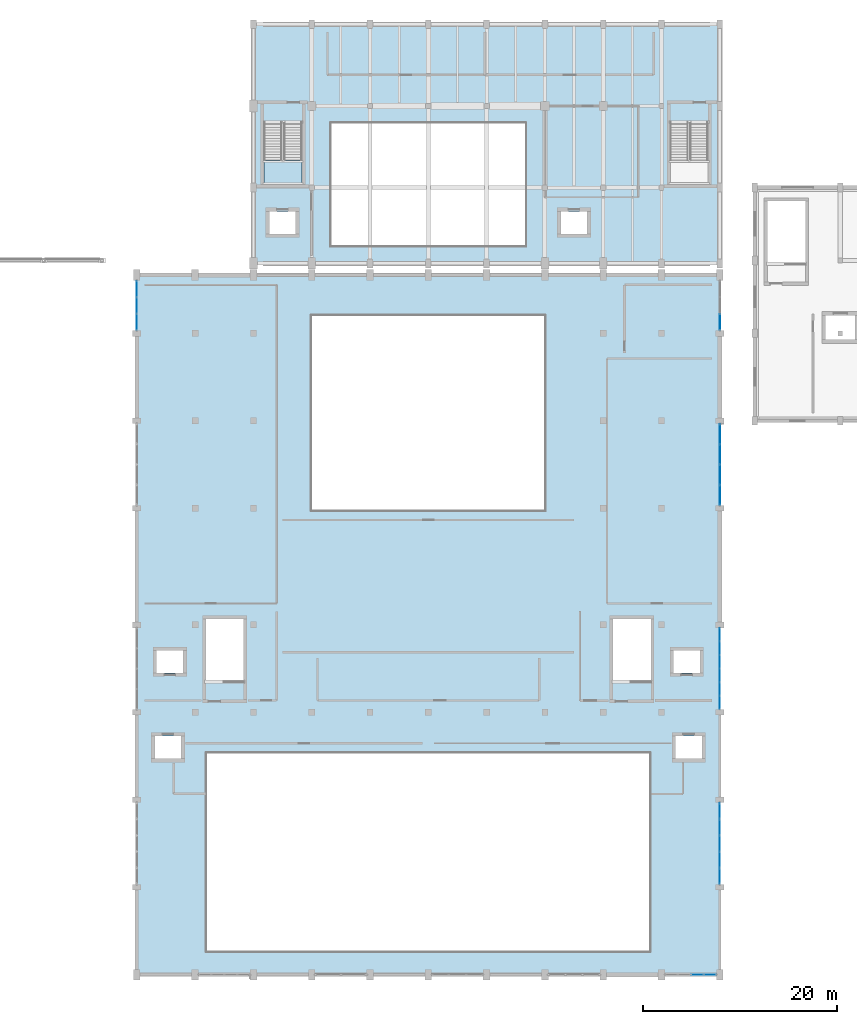
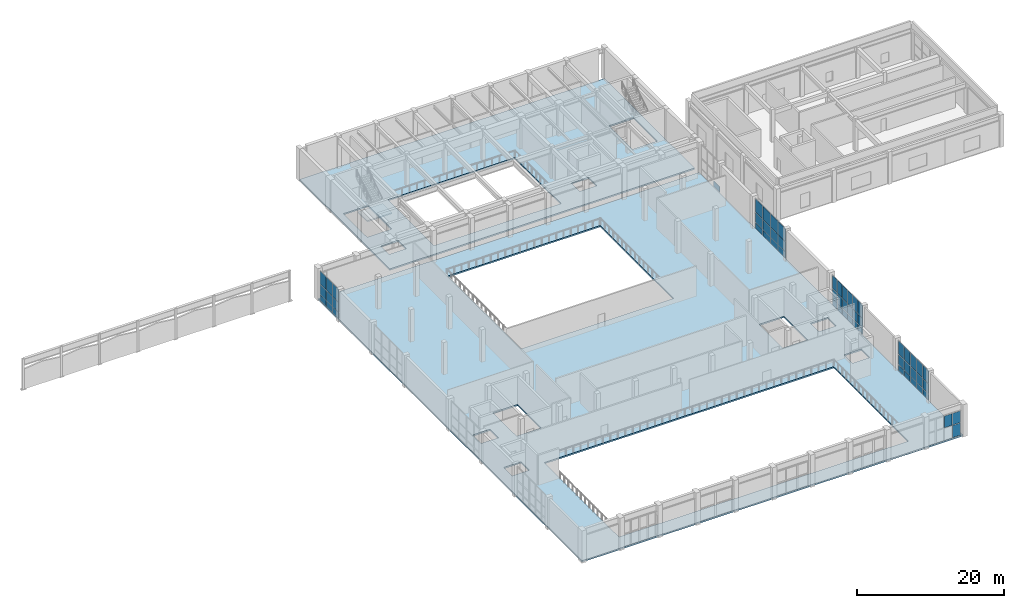
# One storey, part 24 of 41: 58 plates, 3 slabs, 7 elements without a shape of their own.
"""IFC4 building model written with IfcOpenShell, lengths in metres."""

from ifc_helpers import new_model, si_unit, direction, frame, origin, origin_2d, place, context, subcontext, project, spatial, polyline, rectangle, outline, extrude, material, layer, layer_set, type_object, element, aggregate, save


model = new_model("IFC4")

# Units and contexts
model_context = context("Model", 3, precision=1e-05, world=origin(), true_north=direction((0.0, 1.0)))
body_context = subcontext(model_context, "Body", "Model", "MODEL_VIEW")
ifc_project = project(units=[si_unit("LENGTHUNIT", "METRE"), si_unit("AREAUNIT", "SQUARE_METRE"), si_unit("VOLUMEUNIT", "CUBIC_METRE"), si_unit("PLANEANGLEUNIT", "RADIAN"), si_unit("MASSUNIT", "GRAM", prefix="KILO")], contexts=[model_context])

# Site, building, storey
site_placement = place(None, origin())
site = spatial("IfcSite", under=ifc_project, at=site_placement, CompositionType="ELEMENT")
building_placement = place(site_placement, origin())
building = spatial("IfcBuilding", under=site, at=building_placement, Name="Vaelkrest Opera House", CompositionType="ELEMENT")
storey_placement = place(building_placement, frame((0.0, 0.0, 24.60009765625)))
storey = spatial("IfcBuildingStorey", under=building, at=storey_placement, Name="L05", CompositionType="ELEMENT", Elevation=24.60009765625)

# Curtain wall, plates
ifc_material_1 = material(Name="Dark bronze anodized aluminium", Category="aluminium")
ifc_layer_1 = layer(ifc_material_1, 0.179931640625)
ifc_layer_set_1 = layer_set([ifc_layer_1], Name="Dark bronze anodized aluminium")
curtain_wall_type_1 = type_object("IfcCurtainWallType", Name="CW01", PredefinedType="NOTDEFINED", material=ifc_layer_set_1)
curtain_wall_1_placement = place(storey_placement, origin())
curtain_wall_1 = element("IfcCurtainWall", 1, at=curtain_wall_1_placement, inside=storey, type_object=curtain_wall_type_1, Name="Curtain wall CW-L05-079", PredefinedType="NOTDEFINED")
ifc_material_2 = material(Name="Double low-E insulated glazing", Category="glass")
ifc_layer_2 = layer(ifc_material_2, 0.02587890625)
ifc_layer_set_2 = layer_set([ifc_layer_2], Name="Double low-E insulated glazing")
plate_type_1 = type_object("IfcPlateType", Name="CWP01", PredefinedType="CURTAIN_PANEL", material=ifc_layer_set_2)
plate_1_placement = place(storey_placement, frame((30.0, -20.814697265625, 0.06494140625), z_axis=(0.0, 0.0, 1.0), x_axis=(0.0, -1.0, 0.0)))
plate_1 = element("IfcPlate", 2, at=plate_1_placement, type_object=plate_type_1, Name="CW01 panel 1.1", PredefinedType="CURTAIN_PANEL", context=body_context, shape_type="SweptSolid", body=[
    extrude(rectangle(XDim=1.30322265625, YDim=0.02587890625, at=origin_2d()), origin(), (0.0, 0.0, 1.0), 0.952392578125),
])
plate_2_placement = place(storey_placement, frame((30.0, -20.814697265625, 1.08251953125), z_axis=(0.0, 0.0, 1.0), x_axis=(0.0, -1.0, 0.0)))
plate_2 = element("IfcPlate", 3, at=plate_2_placement, type_object=plate_type_1, Name="CW01 panel 1.2", PredefinedType="CURTAIN_PANEL", context=body_context, shape_type="SweptSolid", body=[
    extrude(rectangle(XDim=1.30322265625, YDim=0.02587890625, at=origin_2d()), origin(), (0.0, 0.0, 1.0), 1.635009765625),
])
plate_3_placement = place(storey_placement, frame((30.0, -20.814697265625, 2.7822265625), z_axis=(0.0, 0.0, 1.0), x_axis=(0.0, -1.0, 0.0)))
plate_3 = element("IfcPlate", 4, at=plate_3_placement, type_object=plate_type_1, Name="CW01 panel 1.3", PredefinedType="CURTAIN_PANEL", context=body_context, shape_type="SweptSolid", body=[
    extrude(rectangle(XDim=1.30322265625, YDim=0.02587890625, at=origin_2d()), origin(), (0.0, 0.0, 1.0), 2.202392578125),
])
plate_4_placement = place(storey_placement, frame((30.0, -22.198974609375, 0.06494140625), z_axis=(0.0, 0.0, 1.0), x_axis=(0.0, -1.0, 0.0)))
plate_4 = element("IfcPlate", 5, at=plate_4_placement, type_object=plate_type_1, Name="CW01 panel 2.1", PredefinedType="CURTAIN_PANEL", context=body_context, shape_type="SweptSolid", body=[
    extrude(rectangle(XDim=1.335693359375, YDim=0.02587890625, at=origin_2d()), origin(), (0.0, 0.0, 1.0), 0.952392578125),
])
plate_5_placement = place(storey_placement, frame((30.0, -22.198974609375, 1.08251953125), z_axis=(0.0, 0.0, 1.0), x_axis=(0.0, -1.0, 0.0)))
plate_5 = element("IfcPlate", 6, at=plate_5_placement, type_object=plate_type_1, Name="CW01 panel 2.2", PredefinedType="CURTAIN_PANEL", context=body_context, shape_type="SweptSolid", body=[
    extrude(rectangle(XDim=1.335693359375, YDim=0.02587890625, at=origin_2d()), origin(), (0.0, 0.0, 1.0), 1.635009765625),
])
plate_6_placement = place(storey_placement, frame((30.0, -22.198974609375, 2.7822265625), z_axis=(0.0, 0.0, 1.0), x_axis=(0.0, -1.0, 0.0)))
plate_6 = element("IfcPlate", 7, at=plate_6_placement, type_object=plate_type_1, Name="CW01 panel 2.3", PredefinedType="CURTAIN_PANEL", context=body_context, shape_type="SweptSolid", body=[
    extrude(rectangle(XDim=1.335693359375, YDim=0.02587890625, at=origin_2d()), origin(), (0.0, 0.0, 1.0), 2.202392578125),
])
plate_7_placement = place(storey_placement, frame((30.0, -23.599609375, 0.06494140625), z_axis=(0.0, 0.0, 1.0), x_axis=(0.0, -1.0, 0.0)))
plate_7 = element("IfcPlate", 8, at=plate_7_placement, type_object=plate_type_1, Name="CW01 panel 3.1", PredefinedType="CURTAIN_PANEL", context=body_context, shape_type="SweptSolid", body=[
    extrude(rectangle(XDim=1.335693359375, YDim=0.02587890625, at=origin_2d()), origin(), (0.0, 0.0, 1.0), 0.952392578125),
])
plate_8_placement = place(storey_placement, frame((30.0, -23.599609375, 1.08251953125), z_axis=(0.0, 0.0, 1.0), x_axis=(0.0, -1.0, 0.0)))
plate_8 = element("IfcPlate", 9, at=plate_8_placement, type_object=plate_type_1, Name="CW01 panel 3.2", PredefinedType="CURTAIN_PANEL", context=body_context, shape_type="SweptSolid", body=[
    extrude(rectangle(XDim=1.335693359375, YDim=0.02587890625, at=origin_2d()), origin(), (0.0, 0.0, 1.0), 1.635009765625),
])
plate_9_placement = place(storey_placement, frame((30.0, -23.599609375, 2.7822265625), z_axis=(0.0, 0.0, 1.0), x_axis=(0.0, -1.0, 0.0)))
plate_9 = element("IfcPlate", 10, at=plate_9_placement, type_object=plate_type_1, Name="CW01 panel 3.3", PredefinedType="CURTAIN_PANEL", context=body_context, shape_type="SweptSolid", body=[
    extrude(rectangle(XDim=1.335693359375, YDim=0.02587890625, at=origin_2d()), origin(), (0.0, 0.0, 1.0), 2.202392578125),
])
plate_10_placement = place(storey_placement, frame((30.0, -25.000244140625, 0.06494140625), z_axis=(0.0, 0.0, 1.0), x_axis=(0.0, -1.0, 0.0)))
plate_10 = element("IfcPlate", 11, at=plate_10_placement, type_object=plate_type_1, Name="CW01 panel 4.1", PredefinedType="CURTAIN_PANEL", context=body_context, shape_type="SweptSolid", body=[
    extrude(rectangle(XDim=1.335693359375, YDim=0.02587890625, at=origin_2d()), origin(), (0.0, 0.0, 1.0), 0.952392578125),
])
plate_11_placement = place(storey_placement, frame((30.0, -25.000244140625, 1.08251953125), z_axis=(0.0, 0.0, 1.0), x_axis=(0.0, -1.0, 0.0)))
plate_11 = element("IfcPlate", 12, at=plate_11_placement, type_object=plate_type_1, Name="CW01 panel 4.2", PredefinedType="CURTAIN_PANEL", context=body_context, shape_type="SweptSolid", body=[
    extrude(rectangle(XDim=1.335693359375, YDim=0.02587890625, at=origin_2d()), origin(), (0.0, 0.0, 1.0), 1.635009765625),
])
plate_12_placement = place(storey_placement, frame((30.0, -25.000244140625, 2.7822265625), z_axis=(0.0, 0.0, 1.0), x_axis=(0.0, -1.0, 0.0)))
plate_12 = element("IfcPlate", 13, at=plate_12_placement, type_object=plate_type_1, Name="CW01 panel 4.3", PredefinedType="CURTAIN_PANEL", context=body_context, shape_type="SweptSolid", body=[
    extrude(rectangle(XDim=1.335693359375, YDim=0.02587890625, at=origin_2d()), origin(), (0.0, 0.0, 1.0), 2.202392578125),
])
plate_13_placement = place(storey_placement, frame((30.0, -26.40087890625, 0.06494140625), z_axis=(0.0, 0.0, 1.0), x_axis=(0.0, -1.0, 0.0)))
plate_13 = element("IfcPlate", 14, at=plate_13_placement, type_object=plate_type_1, Name="CW01 panel 5.1", PredefinedType="CURTAIN_PANEL", context=body_context, shape_type="SweptSolid", body=[
    extrude(rectangle(XDim=1.335693359375, YDim=0.02587890625, at=origin_2d()), origin(), (0.0, 0.0, 1.0), 0.952392578125),
])
plate_14_placement = place(storey_placement, frame((30.0, -26.40087890625, 1.08251953125), z_axis=(0.0, 0.0, 1.0), x_axis=(0.0, -1.0, 0.0)))
plate_14 = element("IfcPlate", 15, at=plate_14_placement, type_object=plate_type_1, Name="CW01 panel 5.2", PredefinedType="CURTAIN_PANEL", context=body_context, shape_type="SweptSolid", body=[
    extrude(rectangle(XDim=1.335693359375, YDim=0.02587890625, at=origin_2d()), origin(), (0.0, 0.0, 1.0), 1.635009765625),
])
plate_15_placement = place(storey_placement, frame((30.0, -26.40087890625, 2.7822265625), z_axis=(0.0, 0.0, 1.0), x_axis=(0.0, -1.0, 0.0)))
plate_15 = element("IfcPlate", 16, at=plate_15_placement, type_object=plate_type_1, Name="CW01 panel 5.3", PredefinedType="CURTAIN_PANEL", context=body_context, shape_type="SweptSolid", body=[
    extrude(rectangle(XDim=1.335693359375, YDim=0.02587890625, at=origin_2d()), origin(), (0.0, 0.0, 1.0), 2.202392578125),
])
plate_16_placement = place(storey_placement, frame((30.0, -27.785400390625, 0.06494140625), z_axis=(0.0, 0.0, 1.0), x_axis=(0.0, -1.0, 0.0)))
plate_16 = element("IfcPlate", 17, at=plate_16_placement, type_object=plate_type_1, Name="CW01 panel 6.1", PredefinedType="CURTAIN_PANEL", context=body_context, shape_type="SweptSolid", body=[
    extrude(rectangle(XDim=1.30322265625, YDim=0.02587890625, at=origin_2d()), origin(), (0.0, 0.0, 1.0), 0.952392578125),
])
plate_17_placement = place(storey_placement, frame((30.0, -27.785400390625, 1.08251953125), z_axis=(0.0, 0.0, 1.0), x_axis=(0.0, -1.0, 0.0)))
plate_17 = element("IfcPlate", 18, at=plate_17_placement, type_object=plate_type_1, Name="CW01 panel 6.2", PredefinedType="CURTAIN_PANEL", context=body_context, shape_type="SweptSolid", body=[
    extrude(rectangle(XDim=1.30322265625, YDim=0.02587890625, at=origin_2d()), origin(), (0.0, 0.0, 1.0), 1.635009765625),
])
plate_18_placement = place(storey_placement, frame((30.0, -27.785400390625, 2.7822265625), z_axis=(0.0, 0.0, 1.0), x_axis=(0.0, -1.0, 0.0)))
plate_18 = element("IfcPlate", 19, at=plate_18_placement, type_object=plate_type_1, Name="CW01 panel 6.3", PredefinedType="CURTAIN_PANEL", context=body_context, shape_type="SweptSolid", body=[
    extrude(rectangle(XDim=1.30322265625, YDim=0.02587890625, at=origin_2d()), origin(), (0.0, 0.0, 1.0), 2.202392578125),
])
aggregate(curtain_wall_1, [plate_1, plate_2, plate_3, plate_4, plate_5, plate_6, plate_7, plate_8, plate_9, plate_10, plate_11, plate_12, plate_13, plate_14, plate_15, plate_16, plate_17, plate_18])

ifc_layer_3 = layer(ifc_material_1, 0.18994140625)
ifc_layer_set_3 = layer_set([ifc_layer_3], Name="Dark bronze anodized aluminium")
curtain_wall_type_2 = type_object("IfcCurtainWallType", Name="CW02", PredefinedType="NOTDEFINED", material=ifc_layer_set_3)
curtain_wall_2_placement = place(storey_placement, origin())
curtain_wall_2 = element("IfcCurtainWall", 20, at=curtain_wall_2_placement, inside=storey, type_object=curtain_wall_type_2, Name="Curtain wall CW-L05-068", PredefinedType="NOTDEFINED")
ifc_layer_4 = layer(ifc_material_2, 0.030029296875)
ifc_layer_set_4 = layer_set([ifc_layer_4], Name="Double low-E insulated glazing")
plate_type_2 = type_object("IfcPlateType", Name="CWP02", PredefinedType="CURTAIN_PANEL", material=ifc_layer_set_4)
plate_19_placement = place(storey_placement, frame((28.971435546875, -55.800048828125, 0.06982421875), z_axis=(0.0, 0.0, 1.0), x_axis=(-1.0, 0.0, 0.0)))
plate_19 = element("IfcPlate", 21, at=plate_19_placement, type_object=plate_type_2, Name="CW02 panel 1.1", PredefinedType="CURTAIN_PANEL", context=body_context, shape_type="SweptSolid", body=[
    extrude(rectangle(XDim=1.220947265625, YDim=0.030029296875, at=origin_2d()), origin(), (0.0, 0.0, 1.0), 2.044921875),
])
plate_20_placement = place(storey_placement, frame((28.971435546875, -55.800048828125, 2.18505859375), z_axis=(0.0, 0.0, 1.0), x_axis=(-1.0, 0.0, 0.0)))
plate_20 = element("IfcPlate", 22, at=plate_20_placement, type_object=plate_type_2, Name="CW02 panel 1.2", PredefinedType="CURTAIN_PANEL", context=body_context, shape_type="SweptSolid", body=[
    extrude(rectangle(XDim=1.220947265625, YDim=0.030029296875, at=origin_2d()), origin(), (0.0, 0.0, 1.0), 1.94189453125),
])
plate_21_placement = place(storey_placement, frame((27.6630859375, -55.800048828125, 2.18505859375), z_axis=(0.0, 0.0, 1.0), x_axis=(-1.0, 0.0, 0.0)))
plate_21 = element("IfcPlate", 23, at=plate_21_placement, type_object=plate_type_2, Name="CW02 panel 2.2", PredefinedType="CURTAIN_PANEL", context=body_context, shape_type="SweptSolid", body=[
    extrude(rectangle(XDim=1.256103515625, YDim=0.030029296875, at=origin_2d()), origin(), (0.0, 0.0, 1.0), 1.94189453125),
])
aggregate(curtain_wall_2, [plate_19, plate_20, plate_21])

curtain_wall_3_placement = place(storey_placement, origin())
curtain_wall_3 = element("IfcCurtainWall", 24, at=curtain_wall_3_placement, inside=storey, type_object=curtain_wall_type_2, Name="Curtain wall CW-L05-076", PredefinedType="NOTDEFINED")
plate_22_placement = place(storey_placement, frame((-30.0, 11.37451171875, 0.06982421875), z_axis=(0.0, 0.0, 1.0), x_axis=(0.0, 1.0, 0.0)))
plate_22 = element("IfcPlate", 25, at=plate_22_placement, type_object=plate_type_2, Name="CW02 panel 1.1", PredefinedType="CURTAIN_PANEL", context=body_context, shape_type="SweptSolid", body=[
    extrude(rectangle(XDim=1.613037109375, YDim=0.030029296875, at=origin_2d()), origin(), (0.0, 0.0, 1.0), 0.945068359375),
])
plate_23_placement = place(storey_placement, frame((-30.0, 11.37451171875, 1.0849609375), z_axis=(0.0, 0.0, 1.0), x_axis=(0.0, 1.0, 0.0)))
plate_23 = element("IfcPlate", 26, at=plate_23_placement, type_object=plate_type_2, Name="CW02 panel 1.2", PredefinedType="CURTAIN_PANEL", context=body_context, shape_type="SweptSolid", body=[
    extrude(rectangle(XDim=1.613037109375, YDim=0.030029296875, at=origin_2d()), origin(), (0.0, 0.0, 1.0), 1.6298828125),
])
plate_24_placement = place(storey_placement, frame((-30.0, 11.37451171875, 2.78466796875), z_axis=(0.0, 0.0, 1.0), x_axis=(0.0, 1.0, 0.0)))
plate_24 = element("IfcPlate", 27, at=plate_24_placement, type_object=plate_type_2, Name="CW02 panel 1.3", PredefinedType="CURTAIN_PANEL", context=body_context, shape_type="SweptSolid", body=[
    extrude(rectangle(XDim=1.613037109375, YDim=0.030029296875, at=origin_2d()), origin(), (0.0, 0.0, 1.0), 2.195068359375),
])
plate_25_placement = place(storey_placement, frame((-30.0, 13.074951171875, 0.06982421875), z_axis=(0.0, 0.0, 1.0), x_axis=(0.0, 1.0, 0.0)))
plate_25 = element("IfcPlate", 28, at=plate_25_placement, type_object=plate_type_2, Name="CW02 panel 2.1", PredefinedType="CURTAIN_PANEL", context=body_context, shape_type="SweptSolid", body=[
    extrude(rectangle(XDim=1.64794921875, YDim=0.030029296875, at=origin_2d()), origin(), (0.0, 0.0, 1.0), 0.945068359375),
])
plate_26_placement = place(storey_placement, frame((-30.0, 13.074951171875, 1.0849609375), z_axis=(0.0, 0.0, 1.0), x_axis=(0.0, 1.0, 0.0)))
plate_26 = element("IfcPlate", 29, at=plate_26_placement, type_object=plate_type_2, Name="CW02 panel 2.2", PredefinedType="CURTAIN_PANEL", context=body_context, shape_type="SweptSolid", body=[
    extrude(rectangle(XDim=1.64794921875, YDim=0.030029296875, at=origin_2d()), origin(), (0.0, 0.0, 1.0), 1.6298828125),
])
plate_27_placement = place(storey_placement, frame((-30.0, 13.074951171875, 2.78466796875), z_axis=(0.0, 0.0, 1.0), x_axis=(0.0, 1.0, 0.0)))
plate_27 = element("IfcPlate", 30, at=plate_27_placement, type_object=plate_type_2, Name="CW02 panel 2.3", PredefinedType="CURTAIN_PANEL", context=body_context, shape_type="SweptSolid", body=[
    extrude(rectangle(XDim=1.64794921875, YDim=0.030029296875, at=origin_2d()), origin(), (0.0, 0.0, 1.0), 2.195068359375),
])
plate_28_placement = place(storey_placement, frame((-30.0, 14.775390625, 0.06982421875), z_axis=(0.0, 0.0, 1.0), x_axis=(0.0, 1.0, 0.0)))
plate_28 = element("IfcPlate", 31, at=plate_28_placement, type_object=plate_type_2, Name="CW02 panel 3.1", PredefinedType="CURTAIN_PANEL", context=body_context, shape_type="SweptSolid", body=[
    extrude(rectangle(XDim=1.613037109375, YDim=0.030029296875, at=origin_2d()), origin(), (0.0, 0.0, 1.0), 0.945068359375),
])
plate_29_placement = place(storey_placement, frame((-30.0, 14.775390625, 1.0849609375), z_axis=(0.0, 0.0, 1.0), x_axis=(0.0, 1.0, 0.0)))
plate_29 = element("IfcPlate", 32, at=plate_29_placement, type_object=plate_type_2, Name="CW02 panel 3.2", PredefinedType="CURTAIN_PANEL", context=body_context, shape_type="SweptSolid", body=[
    extrude(rectangle(XDim=1.613037109375, YDim=0.030029296875, at=origin_2d()), origin(), (0.0, 0.0, 1.0), 1.6298828125),
])
plate_30_placement = place(storey_placement, frame((-30.0, 14.775390625, 2.78466796875), z_axis=(0.0, 0.0, 1.0), x_axis=(0.0, 1.0, 0.0)))
plate_30 = element("IfcPlate", 33, at=plate_30_placement, type_object=plate_type_2, Name="CW02 panel 3.3", PredefinedType="CURTAIN_PANEL", context=body_context, shape_type="SweptSolid", body=[
    extrude(rectangle(XDim=1.613037109375, YDim=0.030029296875, at=origin_2d()), origin(), (0.0, 0.0, 1.0), 2.195068359375),
])
aggregate(curtain_wall_3, [plate_22, plate_23, plate_24, plate_25, plate_26, plate_27, plate_28, plate_29, plate_30])

ifc_layer_5 = layer(ifc_material_1, 0.199951171875)
ifc_layer_set_5 = layer_set([ifc_layer_5], Name="Dark bronze anodized aluminium")
curtain_wall_type_3 = type_object("IfcCurtainWallType", Name="CW03", PredefinedType="NOTDEFINED", material=ifc_layer_set_5)
curtain_wall_4_placement = place(storey_placement, origin())
curtain_wall_4 = element("IfcCurtainWall", 34, at=curtain_wall_4_placement, inside=storey, type_object=curtain_wall_type_3, Name="Curtain wall CW-L05-080", PredefinedType="NOTDEFINED")
ifc_layer_6 = layer(ifc_material_2, 0.033935546875)
ifc_layer_set_6 = layer_set([ifc_layer_6], Name="Double low-E insulated glazing")
plate_type_3 = type_object("IfcPlateType", Name="CWP03", PredefinedType="CURTAIN_PANEL", material=ifc_layer_set_6)
plate_31_placement = place(storey_placement, frame((30.0, -38.95703125, 0.074951171875), z_axis=(0.0, 0.0, 1.0), x_axis=(0.0, -1.0, 0.0)))
plate_31 = element("IfcPlate", 35, at=plate_31_placement, type_object=plate_type_3, Name="CW03 panel 1.1", PredefinedType="CURTAIN_PANEL", context=body_context, shape_type="SweptSolid", body=[
    extrude(rectangle(XDim=1.568359375, YDim=0.033935546875, at=origin_2d()), origin(), (0.0, 0.0, 1.0), 0.9375),
])
plate_32_placement = place(storey_placement, frame((30.0, -38.95703125, 1.08740234375), z_axis=(0.0, 0.0, 1.0), x_axis=(0.0, -1.0, 0.0)))
plate_32 = element("IfcPlate", 36, at=plate_32_placement, type_object=plate_type_3, Name="CW03 panel 1.2", PredefinedType="CURTAIN_PANEL", context=body_context, shape_type="SweptSolid", body=[
    extrude(rectangle(XDim=1.568359375, YDim=0.033935546875, at=origin_2d()), origin(), (0.0, 0.0, 1.0), 1.625),
])
plate_33_placement = place(storey_placement, frame((30.0, -38.95703125, 2.787353515625), z_axis=(0.0, 0.0, 1.0), x_axis=(0.0, -1.0, 0.0)))
plate_33 = element("IfcPlate", 37, at=plate_33_placement, type_object=plate_type_3, Name="CW03 panel 1.3", PredefinedType="CURTAIN_PANEL", context=body_context, shape_type="SweptSolid", body=[
    extrude(rectangle(XDim=1.568359375, YDim=0.033935546875, at=origin_2d()), origin(), (0.0, 0.0, 1.0), 2.1875),
])
plate_34_placement = place(storey_placement, frame((30.0, -40.619140625, 0.074951171875), z_axis=(0.0, 0.0, 1.0), x_axis=(0.0, -1.0, 0.0)))
plate_34 = element("IfcPlate", 38, at=plate_34_placement, type_object=plate_type_3, Name="CW03 panel 2.1", PredefinedType="CURTAIN_PANEL", context=body_context, shape_type="SweptSolid", body=[
    extrude(rectangle(XDim=1.605712890625, YDim=0.033935546875, at=origin_2d()), origin(), (0.0, 0.0, 1.0), 0.9375),
])
plate_35_placement = place(storey_placement, frame((30.0, -40.619140625, 1.08740234375), z_axis=(0.0, 0.0, 1.0), x_axis=(0.0, -1.0, 0.0)))
plate_35 = element("IfcPlate", 39, at=plate_35_placement, type_object=plate_type_3, Name="CW03 panel 2.2", PredefinedType="CURTAIN_PANEL", context=body_context, shape_type="SweptSolid", body=[
    extrude(rectangle(XDim=1.605712890625, YDim=0.033935546875, at=origin_2d()), origin(), (0.0, 0.0, 1.0), 1.625),
])
plate_36_placement = place(storey_placement, frame((30.0, -40.619140625, 2.787353515625), z_axis=(0.0, 0.0, 1.0), x_axis=(0.0, -1.0, 0.0)))
plate_36 = element("IfcPlate", 40, at=plate_36_placement, type_object=plate_type_3, Name="CW03 panel 2.3", PredefinedType="CURTAIN_PANEL", context=body_context, shape_type="SweptSolid", body=[
    extrude(rectangle(XDim=1.605712890625, YDim=0.033935546875, at=origin_2d()), origin(), (0.0, 0.0, 1.0), 2.1875),
])
plate_37_placement = place(storey_placement, frame((30.0, -42.300048828125, 0.074951171875), z_axis=(0.0, 0.0, 1.0), x_axis=(0.0, -1.0, 0.0)))
plate_37 = element("IfcPlate", 41, at=plate_37_placement, type_object=plate_type_3, Name="CW03 panel 3.1", PredefinedType="CURTAIN_PANEL", context=body_context, shape_type="SweptSolid", body=[
    extrude(rectangle(XDim=1.605712890625, YDim=0.033935546875, at=origin_2d()), origin(), (0.0, 0.0, 1.0), 0.9375),
])
plate_38_placement = place(storey_placement, frame((30.0, -42.300048828125, 1.08740234375), z_axis=(0.0, 0.0, 1.0), x_axis=(0.0, -1.0, 0.0)))
plate_38 = element("IfcPlate", 42, at=plate_38_placement, type_object=plate_type_3, Name="CW03 panel 3.2", PredefinedType="CURTAIN_PANEL", context=body_context, shape_type="SweptSolid", body=[
    extrude(rectangle(XDim=1.605712890625, YDim=0.033935546875, at=origin_2d()), origin(), (0.0, 0.0, 1.0), 1.625),
])
plate_39_placement = place(storey_placement, frame((30.0, -42.300048828125, 2.787353515625), z_axis=(0.0, 0.0, 1.0), x_axis=(0.0, -1.0, 0.0)))
plate_39 = element("IfcPlate", 43, at=plate_39_placement, type_object=plate_type_3, Name="CW03 panel 3.3", PredefinedType="CURTAIN_PANEL", context=body_context, shape_type="SweptSolid", body=[
    extrude(rectangle(XDim=1.605712890625, YDim=0.033935546875, at=origin_2d()), origin(), (0.0, 0.0, 1.0), 2.1875),
])
plate_40_placement = place(storey_placement, frame((30.0, -43.980712890625, 0.074951171875), z_axis=(0.0, 0.0, 1.0), x_axis=(0.0, -1.0, 0.0)))
plate_40 = element("IfcPlate", 44, at=plate_40_placement, type_object=plate_type_3, Name="CW03 panel 4.1", PredefinedType="CURTAIN_PANEL", context=body_context, shape_type="SweptSolid", body=[
    extrude(rectangle(XDim=1.605712890625, YDim=0.033935546875, at=origin_2d()), origin(), (0.0, 0.0, 1.0), 0.9375),
])
plate_41_placement = place(storey_placement, frame((30.0, -43.980712890625, 1.08740234375), z_axis=(0.0, 0.0, 1.0), x_axis=(0.0, -1.0, 0.0)))
plate_41 = element("IfcPlate", 45, at=plate_41_placement, type_object=plate_type_3, Name="CW03 panel 4.2", PredefinedType="CURTAIN_PANEL", context=body_context, shape_type="SweptSolid", body=[
    extrude(rectangle(XDim=1.605712890625, YDim=0.033935546875, at=origin_2d()), origin(), (0.0, 0.0, 1.0), 1.625),
])
plate_42_placement = place(storey_placement, frame((30.0, -43.980712890625, 2.787353515625), z_axis=(0.0, 0.0, 1.0), x_axis=(0.0, -1.0, 0.0)))
plate_42 = element("IfcPlate", 46, at=plate_42_placement, type_object=plate_type_3, Name="CW03 panel 4.3", PredefinedType="CURTAIN_PANEL", context=body_context, shape_type="SweptSolid", body=[
    extrude(rectangle(XDim=1.605712890625, YDim=0.033935546875, at=origin_2d()), origin(), (0.0, 0.0, 1.0), 2.1875),
])
plate_43_placement = place(storey_placement, frame((30.0, -45.642822265625, 0.074951171875), z_axis=(0.0, 0.0, 1.0), x_axis=(0.0, -1.0, 0.0)))
plate_43 = element("IfcPlate", 47, at=plate_43_placement, type_object=plate_type_3, Name="CW03 panel 5.1", PredefinedType="CURTAIN_PANEL", context=body_context, shape_type="SweptSolid", body=[
    extrude(rectangle(XDim=1.568359375, YDim=0.033935546875, at=origin_2d()), origin(), (0.0, 0.0, 1.0), 0.9375),
])
plate_44_placement = place(storey_placement, frame((30.0, -45.642822265625, 1.08740234375), z_axis=(0.0, 0.0, 1.0), x_axis=(0.0, -1.0, 0.0)))
plate_44 = element("IfcPlate", 48, at=plate_44_placement, type_object=plate_type_3, Name="CW03 panel 5.2", PredefinedType="CURTAIN_PANEL", context=body_context, shape_type="SweptSolid", body=[
    extrude(rectangle(XDim=1.568359375, YDim=0.033935546875, at=origin_2d()), origin(), (0.0, 0.0, 1.0), 1.625),
])
plate_45_placement = place(storey_placement, frame((30.0, -45.642822265625, 2.787353515625), z_axis=(0.0, 0.0, 1.0), x_axis=(0.0, -1.0, 0.0)))
plate_45 = element("IfcPlate", 49, at=plate_45_placement, type_object=plate_type_3, Name="CW03 panel 5.3", PredefinedType="CURTAIN_PANEL", context=body_context, shape_type="SweptSolid", body=[
    extrude(rectangle(XDim=1.568359375, YDim=0.033935546875, at=origin_2d()), origin(), (0.0, 0.0, 1.0), 2.1875),
])
aggregate(curtain_wall_4, [plate_31, plate_32, plate_33, plate_34, plate_35, plate_36, plate_37, plate_38, plate_39, plate_40, plate_41, plate_42, plate_43, plate_44, plate_45])

# Curtain wall, plate
ifc_layer_7 = layer(ifc_material_1, 0.219970703125)
ifc_layer_set_7 = layer_set([ifc_layer_7], Name="Dark bronze anodized aluminium")
curtain_wall_type_4 = type_object("IfcCurtainWallType", Name="CW05", PredefinedType="NOTDEFINED", material=ifc_layer_set_7)
curtain_wall_5_placement = place(storey_placement, origin())
curtain_wall_5 = element("IfcCurtainWall", 50, at=curtain_wall_5_placement, inside=storey, type_object=curtain_wall_type_4, Name="Curtain wall CW-L05-077", PredefinedType="NOTDEFINED")
ifc_layer_8 = layer(ifc_material_2, 0.0419921875)
ifc_layer_set_8 = layer_set([ifc_layer_8], Name="Double low-E insulated glazing")
plate_type_4 = type_object("IfcPlateType", Name="CWP05", PredefinedType="CURTAIN_PANEL", material=ifc_layer_set_8)
plate_46_placement = place(storey_placement, frame((30.0, 11.373291015625, 0.074951171875), z_axis=(0.0, 0.0, 1.0), x_axis=(0.0, -1.0, 0.0)))
plate_46 = element("IfcPlate", 51, at=plate_46_placement, type_object=plate_type_4, Name="CW05 panel 3.1", PredefinedType="CURTAIN_PANEL", context=body_context, shape_type="SweptSolid", body=[
    extrude(rectangle(XDim=1.62060546875, YDim=0.0419921875, at=origin_2d()), origin(), (0.0, 0.0, 1.0), 0.9375),
])
aggregate(curtain_wall_5, [plate_46])

# Curtain wall, plates
ifc_layer_9 = layer(ifc_material_1, 0.239990234375)
ifc_layer_set_9 = layer_set([ifc_layer_9], Name="Dark bronze anodized aluminium")
curtain_wall_type_5 = type_object("IfcCurtainWallType", Name="CW07", PredefinedType="NOTDEFINED", material=ifc_layer_set_9)
curtain_wall_6_placement = place(storey_placement, origin())
curtain_wall_6 = element("IfcCurtainWall", 52, at=curtain_wall_6_placement, inside=storey, type_object=curtain_wall_type_5, Name="Curtain wall CW-L05-078", PredefinedType="NOTDEFINED")
ifc_material_3 = material(Name="Dark bronze anodized aluminium spandrel", Category="aluminium")
ifc_layer_10 = layer(ifc_material_3, 0.052001953125)
ifc_layer_set_10 = layer_set([ifc_layer_10], Name="Dark bronze anodized aluminium spandrel")
plate_type_5 = type_object("IfcPlateType", Name="CWP07", PredefinedType="CURTAIN_PANEL", material=ifc_layer_set_10)
plate_47_placement = place(storey_placement, frame((30.0, -0.167236328125, 0.06494140625), z_axis=(0.0, 0.0, 1.0), x_axis=(0.0, -1.0, 0.0)))
plate_47 = element("IfcPlate", 53, at=plate_47_placement, type_object=plate_type_5, Name="CW07 panel 1.1", PredefinedType="CURTAIN_PANEL", context=body_context, shape_type="SweptSolid", body=[
    extrude(rectangle(XDim=1.988525390625, YDim=0.052001953125, at=origin_2d()), origin(), (0.0, 0.0, 1.0), 0.952392578125),
])
plate_48_placement = place(storey_placement, frame((30.0, -0.167236328125, 1.08251953125), z_axis=(0.0, 0.0, 1.0), x_axis=(0.0, -1.0, 0.0)))
plate_48 = element("IfcPlate", 54, at=plate_48_placement, type_object=plate_type_5, Name="CW07 panel 1.2", PredefinedType="CURTAIN_PANEL", context=body_context, shape_type="SweptSolid", body=[
    extrude(rectangle(XDim=1.988525390625, YDim=0.052001953125, at=origin_2d()), origin(), (0.0, 0.0, 1.0), 1.635009765625),
])
plate_49_placement = place(storey_placement, frame((30.0, -0.167236328125, 2.7822265625), z_axis=(0.0, 0.0, 1.0), x_axis=(0.0, -1.0, 0.0)))
plate_49 = element("IfcPlate", 55, at=plate_49_placement, type_object=plate_type_5, Name="CW07 panel 1.3", PredefinedType="CURTAIN_PANEL", context=body_context, shape_type="SweptSolid", body=[
    extrude(rectangle(XDim=1.988525390625, YDim=0.052001953125, at=origin_2d()), origin(), (0.0, 0.0, 1.0), 2.202392578125),
])
plate_50_placement = place(storey_placement, frame((30.0, -2.24951171875, 0.06494140625), z_axis=(0.0, 0.0, 1.0), x_axis=(0.0, -1.0, 0.0)))
plate_50 = element("IfcPlate", 56, at=plate_50_placement, type_object=plate_type_5, Name="CW07 panel 2.1", PredefinedType="CURTAIN_PANEL", context=body_context, shape_type="SweptSolid", body=[
    extrude(rectangle(XDim=2.02587890625, YDim=0.052001953125, at=origin_2d()), origin(), (0.0, 0.0, 1.0), 0.952392578125),
])
plate_51_placement = place(storey_placement, frame((30.0, -2.24951171875, 1.08251953125), z_axis=(0.0, 0.0, 1.0), x_axis=(0.0, -1.0, 0.0)))
plate_51 = element("IfcPlate", 57, at=plate_51_placement, type_object=plate_type_5, Name="CW07 panel 2.2", PredefinedType="CURTAIN_PANEL", context=body_context, shape_type="SweptSolid", body=[
    extrude(rectangle(XDim=2.02587890625, YDim=0.052001953125, at=origin_2d()), origin(), (0.0, 0.0, 1.0), 1.635009765625),
])
plate_52_placement = place(storey_placement, frame((30.0, -2.24951171875, 2.7822265625), z_axis=(0.0, 0.0, 1.0), x_axis=(0.0, -1.0, 0.0)))
plate_52 = element("IfcPlate", 58, at=plate_52_placement, type_object=plate_type_5, Name="CW07 panel 2.3", PredefinedType="CURTAIN_PANEL", context=body_context, shape_type="SweptSolid", body=[
    extrude(rectangle(XDim=2.02587890625, YDim=0.052001953125, at=origin_2d()), origin(), (0.0, 0.0, 1.0), 2.202392578125),
])
plate_53_placement = place(storey_placement, frame((30.0, -4.3505859375, 0.06494140625), z_axis=(0.0, 0.0, 1.0), x_axis=(0.0, -1.0, 0.0)))
plate_53 = element("IfcPlate", 59, at=plate_53_placement, type_object=plate_type_5, Name="CW07 panel 3.1", PredefinedType="CURTAIN_PANEL", context=body_context, shape_type="SweptSolid", body=[
    extrude(rectangle(XDim=2.02587890625, YDim=0.052001953125, at=origin_2d()), origin(), (0.0, 0.0, 1.0), 0.952392578125),
])
plate_54_placement = place(storey_placement, frame((30.0, -4.3505859375, 1.08251953125), z_axis=(0.0, 0.0, 1.0), x_axis=(0.0, -1.0, 0.0)))
plate_54 = element("IfcPlate", 60, at=plate_54_placement, type_object=plate_type_5, Name="CW07 panel 3.2", PredefinedType="CURTAIN_PANEL", context=body_context, shape_type="SweptSolid", body=[
    extrude(rectangle(XDim=2.02587890625, YDim=0.052001953125, at=origin_2d()), origin(), (0.0, 0.0, 1.0), 1.635009765625),
])
plate_55_placement = place(storey_placement, frame((30.0, -4.3505859375, 2.7822265625), z_axis=(0.0, 0.0, 1.0), x_axis=(0.0, -1.0, 0.0)))
plate_55 = element("IfcPlate", 61, at=plate_55_placement, type_object=plate_type_5, Name="CW07 panel 3.3", PredefinedType="CURTAIN_PANEL", context=body_context, shape_type="SweptSolid", body=[
    extrude(rectangle(XDim=2.02587890625, YDim=0.052001953125, at=origin_2d()), origin(), (0.0, 0.0, 1.0), 2.202392578125),
])
plate_56_placement = place(storey_placement, frame((30.0, -6.432861328125, 0.06494140625), z_axis=(0.0, 0.0, 1.0), x_axis=(0.0, -1.0, 0.0)))
plate_56 = element("IfcPlate", 62, at=plate_56_placement, type_object=plate_type_5, Name="CW07 panel 4.1", PredefinedType="CURTAIN_PANEL", context=body_context, shape_type="SweptSolid", body=[
    extrude(rectangle(XDim=1.988525390625, YDim=0.052001953125, at=origin_2d()), origin(), (0.0, 0.0, 1.0), 0.952392578125),
])
plate_57_placement = place(storey_placement, frame((30.0, -6.432861328125, 1.08251953125), z_axis=(0.0, 0.0, 1.0), x_axis=(0.0, -1.0, 0.0)))
plate_57 = element("IfcPlate", 63, at=plate_57_placement, type_object=plate_type_5, Name="CW07 panel 4.2", PredefinedType="CURTAIN_PANEL", context=body_context, shape_type="SweptSolid", body=[
    extrude(rectangle(XDim=1.988525390625, YDim=0.052001953125, at=origin_2d()), origin(), (0.0, 0.0, 1.0), 1.635009765625),
])
plate_58_placement = place(storey_placement, frame((30.0, -6.432861328125, 2.7822265625), z_axis=(0.0, 0.0, 1.0), x_axis=(0.0, -1.0, 0.0)))
plate_58 = element("IfcPlate", 64, at=plate_58_placement, type_object=plate_type_5, Name="CW07 panel 4.3", PredefinedType="CURTAIN_PANEL", context=body_context, shape_type="SweptSolid", body=[
    extrude(rectangle(XDim=1.988525390625, YDim=0.052001953125, at=origin_2d()), origin(), (0.0, 0.0, 1.0), 2.202392578125),
])
aggregate(curtain_wall_6, [plate_47, plate_48, plate_49, plate_50, plate_51, plate_52, plate_53, plate_54, plate_55, plate_56, plate_57, plate_58])

# Slabs
ifc_material_4 = material(Name="Concrete C40/50", Category="concrete")
ifc_layer_11 = layer(ifc_material_4, 0.2451171875)
ifc_layer_set_11 = layer_set([ifc_layer_11], Name="Concrete C40/50")
slab_type_1 = type_object("IfcSlabType", Name="FS01", PredefinedType="FLOOR", material=ifc_layer_set_11)
slab_1_placement = place(storey_placement, frame((0.0, 0.0, -0.2451171875)))
element("IfcSlab", 65, at=slab_1_placement, inside=storey, type_object=slab_type_1, Name="Floor slab SLB-V1-L05-008", PredefinedType="FLOOR", context=body_context, shape_type="SweptSolid", body=[
    extrude(outline(polyline([(-30.0, -55.800048828125), (30.0, -55.800048828125), (30.0, 16.199951171875), (-30.0, 16.199951171875), (-30.0, -55.800048828125)]), holes=[polyline([(-12.0, -8.0), (12.0, -8.0), (12.0, 12.0), (-12.0, 12.0), (-12.0, -8.0)]), polyline([(-22.800048828125, -53.39990234375), (22.800048828125, -53.39990234375), (22.800048828125, -33.0), (-22.800048828125, -33.0), (-22.800048828125, -53.39990234375)]), polyline([(-19.0, -25.64990234375), (-19.0, -19.199951171875), (-22.89990234375, -19.199951171875), (-22.89990234375, -25.64990234375), (-19.0, -25.64990234375)]), polyline([(22.89990234375, -25.64990234375), (22.89990234375, -19.199951171875), (19.0, -19.199951171875), (19.0, -25.64990234375), (22.89990234375, -25.64990234375)]), polyline([(-27.949951171875, -24.75), (-25.25, -24.75), (-25.25, -22.449951171875), (-27.949951171875, -22.449951171875), (-27.949951171875, -24.75)]), polyline([(25.25, -24.75), (27.949951171875, -24.75), (27.949951171875, -22.449951171875), (25.25, -22.449951171875), (25.25, -24.75)]), polyline([(-28.14990234375, -33.550048828125), (-25.449951171875, -33.550048828125), (-25.449951171875, -31.25), (-28.14990234375, -31.25), (-28.14990234375, -33.550048828125)]), polyline([(25.449951171875, -33.550048828125), (28.14990234375, -33.550048828125), (28.14990234375, -31.25), (25.449951171875, -31.25), (25.449951171875, -33.550048828125)])]), origin(), (0.0, 0.0, 1.0), 0.2451171875),
])
slab_2_placement = place(storey_placement, frame((0.0, 0.0, -0.2451171875)))
element("IfcSlab", 66, at=slab_2_placement, inside=storey, type_object=slab_type_1, Name="Floor slab SLB-V2-L05-015", PredefinedType="FLOOR", context=body_context, shape_type="SweptSolid", body=[
    extrude(outline(polyline([(-18.0, 17.39990234375), (30.0, 17.39990234375), (30.0, 42.0), (-18.0, 42.0), (-18.0, 17.39990234375)]), holes=[polyline([(-10.0, 19.199951171875), (10.0, 19.199951171875), (10.0, 31.800048828125), (-10.0, 31.800048828125), (-10.0, 19.199951171875)]), polyline([(-16.89990234375, 31.949951171875), (-16.89990234375, 25.5), (-13.0, 25.5), (-13.0, 31.949951171875), (-16.89990234375, 31.949951171875)]), polyline([(24.89990234375, 31.949951171875), (24.89990234375, 25.5), (28.800048828125, 25.5), (28.800048828125, 31.949951171875), (24.89990234375, 31.949951171875)]), polyline([(-16.35009765625, 20.449951171875), (-13.64990234375, 20.449951171875), (-13.64990234375, 22.75), (-16.35009765625, 22.75), (-16.35009765625, 20.449951171875)]), polyline([(13.64990234375, 20.449951171875), (16.35009765625, 20.449951171875), (16.35009765625, 22.75), (13.64990234375, 22.75), (13.64990234375, 20.449951171875)])]), origin(), (0.0, 0.0, 1.0), 0.2451171875),
])

# Stair, slab
stair_type = type_object("IfcStairType", Name="ST05", PredefinedType="TWO_STRAIGHT_RUN_STAIR", material=ifc_material_4)
stair_placement = place(storey_placement, origin())
stair = element("IfcStair", 67, at=stair_placement, inside=storey, type_object=stair_type, Name="L05 Protected exit stair ST05", PredefinedType="TWO_STRAIGHT_RUN_STAIR")
ifc_layer_12 = layer(ifc_material_4, 0.199951171875)
ifc_layer_set_12 = layer_set([ifc_layer_12], Name="Concrete C40/50")
slab_type_2 = type_object("IfcSlabType", Name="SLD01", PredefinedType="LANDING", material=ifc_layer_set_12)
slab_3_placement = place(storey_placement, frame((0.0, 0.0, 2.5)))
slab_3 = element("IfcSlab", 68, at=slab_3_placement, type_object=slab_type_2, Name="ST05 landing 1", PredefinedType="LANDING", context=body_context, shape_type="SweptSolid", body=[
    extrude(outline(polyline([(-16.89990234375, 28.030029296875), (-16.89990234375, 25.5), (-13.0, 25.5), (-13.0, 28.030029296875), (-16.89990234375, 28.030029296875)])), origin(), (0.0, 0.0, 1.0), 0.199951171875),
])
aggregate(stair, [slab_3])

save(model, "model.ifc")
